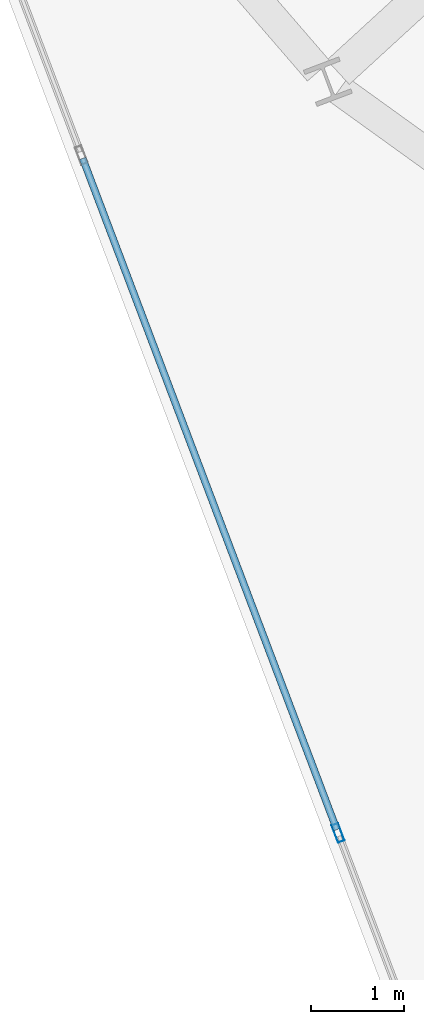
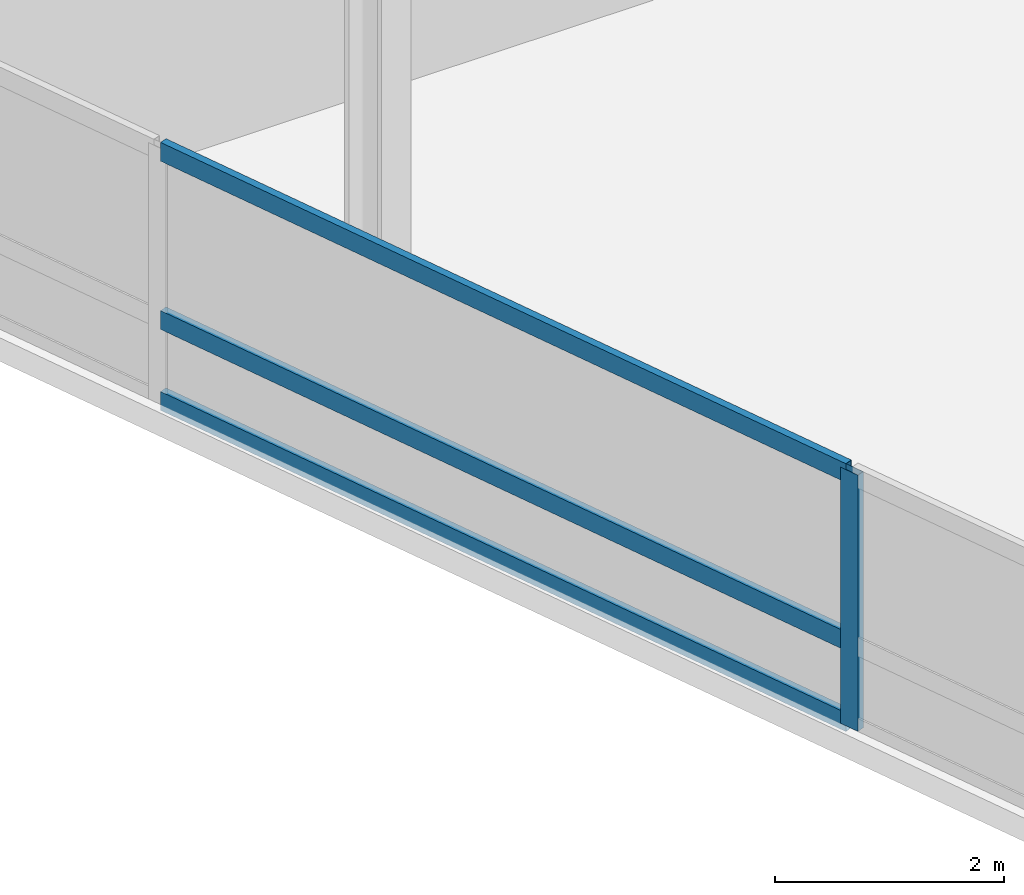
# One storey, part 4 of 24: 4 members, 1 element without a shape of its own.
"""IFC4 building model written with IfcOpenShell, lengths in metres."""

from ifc_helpers import new_model, si_unit, direction, frame, origin, origin_2d, place, context, subcontext, project, spatial, hollow_rectangle, extrude, material, layer, layer_set, material_profile, profile_set, type_object, element, aggregate, save


model = new_model("IFC4")

# Units and contexts
model_context = context("Model", 3, precision=1e-05, world=origin(), true_north=direction((0.0, 1.0)))
body_context = subcontext(model_context, "Body", "Model", "MODEL_VIEW")
ifc_project = project(units=[si_unit("LENGTHUNIT", "METRE"), si_unit("AREAUNIT", "SQUARE_METRE"), si_unit("VOLUMEUNIT", "CUBIC_METRE"), si_unit("PLANEANGLEUNIT", "RADIAN"), si_unit("MASSUNIT", "GRAM", prefix="KILO")], contexts=[model_context])

# Site, building, storey
site_placement = place(None, origin())
site = spatial("IfcSite", under=ifc_project, at=site_placement, CompositionType="ELEMENT")
building_placement = place(site_placement, origin())
building = spatial("IfcBuilding", under=site, at=building_placement, Name="Varnelok Gate Tower", CompositionType="ELEMENT")
storey_placement = place(building_placement, frame((0.0, 0.0, 212.699951171875)))
storey = spatial("IfcBuildingStorey", under=building, at=storey_placement, Name="L54", CompositionType="ELEMENT", Elevation=212.699951171875)

# Curtain wall, members
ifc_material = material(Name="Anodized Aluminum Alloy 6063-T6", Category="aluminium")
ifc_layer = layer(ifc_material, 0.179931640625)
ifc_layer_set = layer_set([ifc_layer], Name="Anodized Aluminum Alloy 6063-T6")
curtain_wall_type = type_object("IfcCurtainWallType", Name="CW4-RESIDENCE-VISION", PredefinedType="USERDEFINED", material=ifc_layer_set)
curtain_wall_placement = place(storey_placement, origin())
curtain_wall = element("IfcCurtainWall", 1, at=curtain_wall_placement, inside=storey, type_object=curtain_wall_type, Name="L54 West End Vision Curtain Wall", ObjectType="UNITISED CURTAIN WALL", PredefinedType="USERDEFINED")
ifc_material_profile_1 = material_profile(ifc_material, hollow_rectangle(XDim=0.074951171875, YDim=0.199951171875, WallThickness=0.00390625, at=origin_2d()), Name="ALU200X75X4")
ifc_profile_set_1 = profile_set([ifc_material_profile_1], Name="Anodized Aluminum Alloy 6063-T6")
member_type_1 = type_object("IfcMemberType", Name="CW-MULL-200", PredefinedType="MULLION", material=ifc_profile_set_1)
member_1_placement = place(storey_placement, frame((11.13671875, 6.33544921875, 0.0), z_axis=(0.0, 0.0, 1.0), x_axis=(-0.935221557832, -0.354063042079, 0.0)))
member_1 = element("IfcMember", 2, at=member_1_placement, type_object=member_type_1, Name="CW4 mullion 2", PredefinedType="MULLION", context=body_context, shape_type="SweptSolid", body=[
    extrude(hollow_rectangle(XDim=0.074951171875, YDim=0.199951171875, WallThickness=0.00390625, at=origin_2d()), origin(), (0.0, 0.0, 1.0), 2.72998046875),
])
ifc_material_profile_2 = material_profile(ifc_material, hollow_rectangle(XDim=0.074951171875, YDim=0.199951171875, WallThickness=0.00390625, at=origin_2d()), Name="ALU200X75X4")
ifc_profile_set_2 = profile_set([ifc_material_profile_2], Name="Anodized Aluminum Alloy 6063-T6")
member_type_2 = type_object("IfcMemberType", Name="CW-TRAN-200", PredefinedType="USERDEFINED", material=ifc_profile_set_2)
member_2_placement = place(storey_placement, frame((11.12353515625, 6.370361328125, 0.03759765625), z_axis=(-0.354058714128, 0.935223196328, 0.0), x_axis=(-0.935223196328, -0.354058714128, 0.0)))
member_2 = element("IfcMember", 3, at=member_2_placement, type_object=member_type_2, Name="CW4 transom 2.1", ObjectType="TRANSOM", PredefinedType="USERDEFINED", context=body_context, shape_type="SweptSolid", body=[
    extrude(hollow_rectangle(XDim=0.074951171875, YDim=0.199951171875, WallThickness=0.00390625, at=origin_2d()), origin(), (0.0, 0.0, 1.0), 7.72509765625),
])
member_3_placement = place(storey_placement, frame((11.12353515625, 6.370361328125, 0.900146484375), z_axis=(-0.354058714128, 0.935223196328, 0.0), x_axis=(-0.935223196328, -0.354058714128, 0.0)))
member_3 = element("IfcMember", 4, at=member_3_placement, type_object=member_type_2, Name="CW4 transom 2.2", ObjectType="TRANSOM", PredefinedType="USERDEFINED", context=body_context, shape_type="SweptSolid", body=[
    extrude(hollow_rectangle(XDim=0.074951171875, YDim=0.199951171875, WallThickness=0.00390625, at=origin_2d()), origin(), (0.0, 0.0, 1.0), 7.72509765625),
])
member_4_placement = place(storey_placement, frame((11.12353515625, 6.370361328125, 2.692626953125), z_axis=(-0.354058714128, 0.935223196328, 0.0), x_axis=(-0.935223196328, -0.354058714128, 0.0)))
member_4 = element("IfcMember", 5, at=member_4_placement, type_object=member_type_2, Name="CW4 transom 2.3", ObjectType="TRANSOM", PredefinedType="USERDEFINED", context=body_context, shape_type="SweptSolid", body=[
    extrude(hollow_rectangle(XDim=0.074951171875, YDim=0.199951171875, WallThickness=0.00390625, at=origin_2d()), origin(), (0.0, 0.0, 1.0), 7.72509765625),
])
aggregate(curtain_wall, [member_1, member_2, member_3, member_4])

save(model, "model.ifc")
